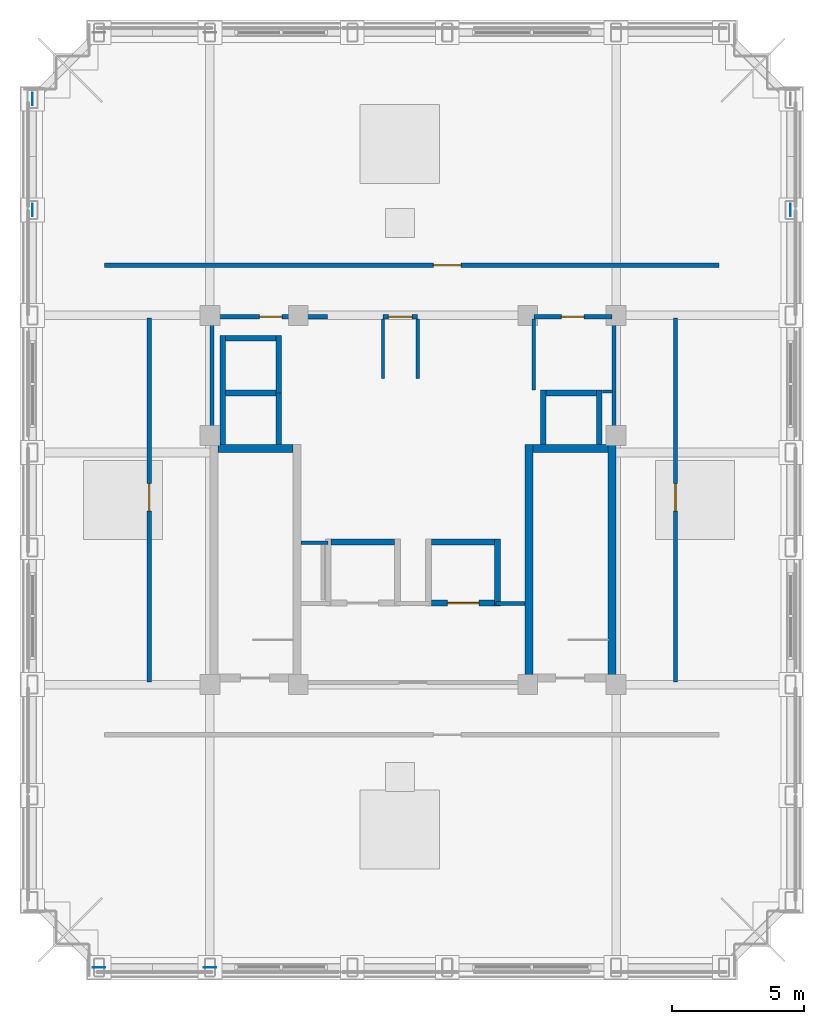
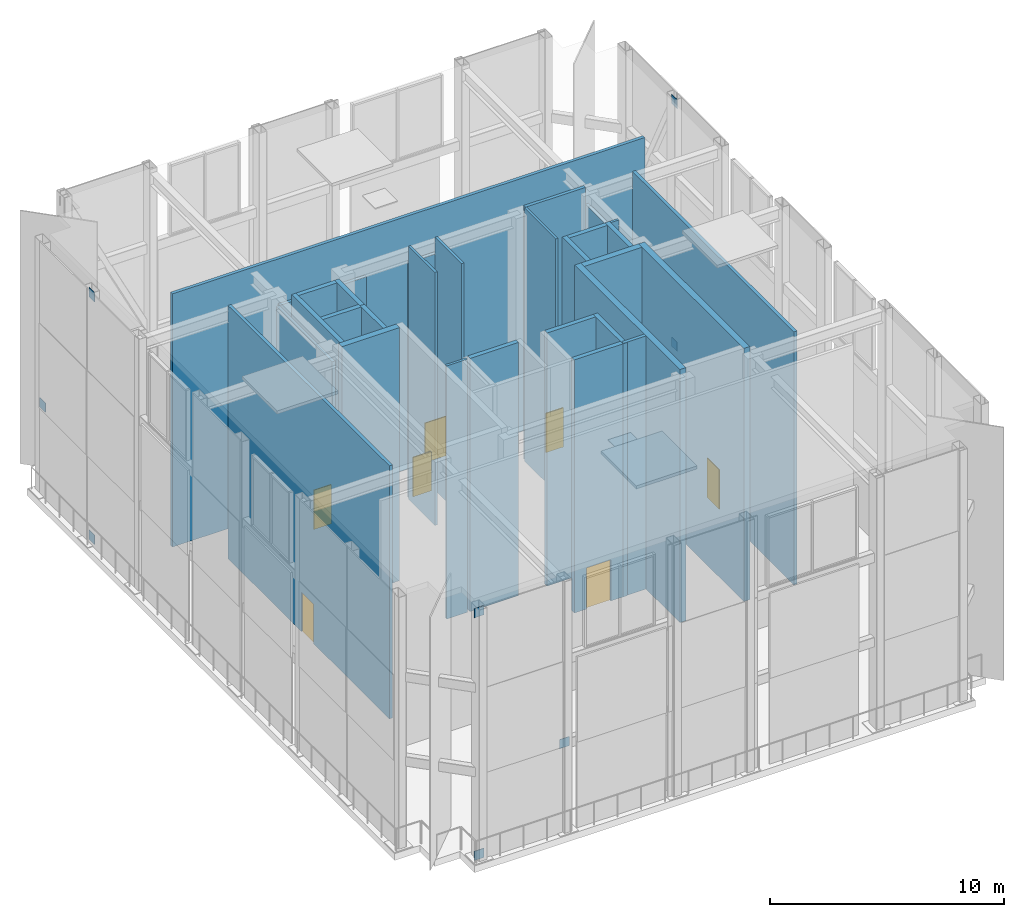
# One storey, part 5 of 7: 30 walls, 8 discrete accessories, 7 doors, 7 openings.
"""IFC4 building model written with IfcOpenShell, lengths in metres."""

from ifc_helpers import new_model, si_unit, derived_unit, direction, frame, frame_2d, origin, origin_2d, place, context, subcontext, project, spatial, rectangle, extrude, material, layer, layer_set, type_object, element, fill, save


model = new_model("IFC4")

# Units and contexts
model_context = context("Model", 3, precision=1e-05, world=origin(), true_north=direction((0.0, 1.0)))
body_context = subcontext(model_context, "Body", "Model", "MODEL_VIEW")
ifc_project = project(units=[si_unit("LENGTHUNIT", "METRE"), si_unit("AREAUNIT", "SQUARE_METRE"), si_unit("VOLUMEUNIT", "CUBIC_METRE"), si_unit("PLANEANGLEUNIT", "RADIAN"), si_unit("MASSUNIT", "GRAM", prefix="KILO"), derived_unit("THERMALTRANSMITTANCEUNIT", [(si_unit("MASSUNIT", "GRAM", prefix="KILO"), 1), (si_unit("TIMEUNIT", "SECOND"), -3), (si_unit("THERMODYNAMICTEMPERATUREUNIT", "KELVIN"), -1)])], contexts=[model_context])

# Site, building, storey
site_placement = place(None, origin())
site = spatial("IfcSite", under=ifc_project, at=site_placement, CompositionType="ELEMENT")
building_placement = place(site_placement, origin())
building = spatial("IfcBuilding", under=site, at=building_placement, Name="Korrvale Station Residences", CompositionType="ELEMENT")
storey_placement = place(building_placement, frame((0.0, 0.0, 261.5)))
storey = spatial("IfcBuildingStorey", under=building, at=storey_placement, Name="L76 Crown", CompositionType="ELEMENT", Elevation=261.5)

# Walls
ifc_material_1 = material(Name="Concrete C50/60", Category="concrete")
ifc_layer_1 = layer(ifc_material_1, 0.300048828125, Name="Concrete C50/60")
ifc_layer_set_1 = layer_set([ifc_layer_1], Name="Concrete C50/60")
wall_type_1 = type_object("IfcWallType", Name="WAL-CORE-300-C50", PredefinedType="SHEAR", material=ifc_layer_set_1)
wall_1_placement = place(storey_placement, frame((18.10009765625, 23.949951171875, 0.0), z_axis=(0.0, 0.0, 1.0), x_axis=(1.0, 0.0, 0.0)))
element("IfcWall", 1, at=wall_1_placement, inside=storey, type_object=wall_type_1, Name="L76 Crown ST-1 Core Shear Wall North", PredefinedType="SHEAR", context=body_context, shape_type="SweptSolid", body=[
    extrude(rectangle(XDim=2.849853515625, YDim=0.300048828125, at=frame_2d((1.4248046875, 0.0))), origin(), (0.0, 0.0, 1.0), 13.199951171875),
])
for number, where, z_axis, x_axis, name in (
    (2, (29.89990234375, 15.10009765625, 0.0), (0.0, 0.0, 1.0), (0.0, 1.0, 0.0), "L76 Crown ST-2 Core Shear Wall West"),
    (3, (33.050048828125, 15.10009765625, 0.0), (0.0, 0.0, 1.0), (0.0, 1.0, 0.0), "L76 Crown ST-2 Core Shear Wall East"),
):
    element("IfcWall", number, at=place(storey_placement, frame(where, z_axis=z_axis, x_axis=x_axis)), inside=storey, type_object=wall_type_1, Name=name, PredefinedType="SHEAR", context=body_context, shape_type="SweptSolid", body=[
        extrude(rectangle(XDim=9.0, YDim=0.300048828125, at=frame_2d((4.5, 0.0))), origin(), (0.0, 0.0, 1.0), 13.199951171875),
    ])
wall_2_placement = place(storey_placement, frame((30.050048828125, 23.949951171875, 0.0), z_axis=(0.0, 0.0, 1.0), x_axis=(1.0, 0.0, 0.0)))
element("IfcWall", 4, at=wall_2_placement, inside=storey, type_object=wall_type_1, Name="L76 Crown ST-2 Core Shear Wall North", PredefinedType="SHEAR", context=body_context, shape_type="SweptSolid", body=[
    extrude(rectangle(XDim=2.849853515625, YDim=0.300048828125, at=frame_2d((1.4248046875, 0.0))), origin(), (0.0, 0.0, 1.0), 13.199951171875),
])
ifc_material_2 = material(Name="Acoustic steel-stud gypsum board partition", Category="steel")
ifc_layer_2 = layer(ifc_material_2, 0.1201171875, Name="Acoustic steel-stud gypsum board partition")
ifc_layer_set_2 = layer_set([ifc_layer_2], Name="Acoustic steel-stud gypsum board partition")
wall_type_2 = type_object("IfcWallType", Name="WAL-PART-125", PredefinedType="PARTITIONING", material=ifc_layer_set_2)
wall_3_placement = place(storey_placement, frame((22.280029296875, 20.3798828125, 0.0), z_axis=(0.0, 0.0, 1.0), x_axis=(-1.0, 0.0, 0.0)))
element("IfcWall", 5, at=wall_3_placement, inside=storey, type_object=wall_type_2, Name="L76 Crown Core Partition CW-RSWT-N", PredefinedType="PARTITIONING", context=body_context, shape_type="SweptSolid", body=[
    extrude(rectangle(XDim=1.02001953125, YDim=0.1201171875, at=frame_2d((0.510009765625, 0.0))), origin(), (0.0, 0.0, 1.0), 13.199951171875),
])
for number, where, z_axis, x_axis, name in (
    (6, (24.360107421875, 26.60009765625, 0.0), (0.0, 0.0, 1.0), (0.0, 1.0, 0.0), "L76 Crown Core Partition CW-PSG-W"),
    (7, (25.679931640625, 26.60009765625, 0.0), (0.0, 0.0, 1.0), (0.0, 1.0, 0.0), "L76 Crown Core Partition CW-PSG-E"),
):
    element("IfcWall", number, at=place(storey_placement, frame(where, z_axis=z_axis, x_axis=x_axis)), inside=storey, type_object=wall_type_2, Name=name, PredefinedType="PARTITIONING", context=body_context, shape_type="SweptSolid", body=[
        extrude(rectangle(XDim=2.27001953125, YDim=0.1201171875, at=frame_2d((1.135009765625, 0.0))), origin(), (0.0, 0.0, 1.0), 13.199951171875),
    ])
wall_4_placement = place(storey_placement, frame((30.080078125, 26.179931640625, 0.0), z_axis=(0.0, 0.0, 1.0), x_axis=(0.0, 1.0, 0.0)))
element("IfcWall", 8, at=wall_4_placement, inside=storey, type_object=wall_type_2, Name="L76 Crown Core Partition CW-CS-W", PredefinedType="PARTITIONING", context=body_context, shape_type="SweptSolid", body=[
    extrude(rectangle(XDim=2.68017578125, YDim=0.1201171875, at=frame_2d((1.340087890625, 0.0))), origin(), (0.0, 0.0, 1.0), 13.199951171875),
])
wall_5_placement = place(storey_placement, frame((32.679931640625, 26.1201171875, 0.0), z_axis=(0.0, 0.0, 1.0), x_axis=(1.0, 0.0, 0.0)))
element("IfcWall", 9, at=wall_5_placement, inside=storey, type_object=wall_type_2, Name="L76 Crown Core Partition CW-CS-S", PredefinedType="PARTITIONING", context=body_context, shape_type="SweptSolid", body=[
    extrude(rectangle(XDim=0.380126953125, YDim=0.1201171875, at=frame_2d((0.18994140625, 0.0))), origin(), (0.0, 0.0, 1.0), 13.199951171875),
])
ifc_material_3 = material(Name="Fire-rated twin-stud gypsum and mineral wool shaftwall assembly", Category="gypsum")
ifc_layer_3 = layer(ifc_material_3, 0.159912109375, Name="Fire-rated twin-stud gypsum and mineral wool shaftwall assembly")
ifc_layer_set_3 = layer_set([ifc_layer_3], Name="Fire-rated twin-stud gypsum and mineral wool shaftwall assembly")
wall_type_3 = type_object("IfcWallType", Name="WAL-PART-200", PredefinedType="PARTITIONING", material=ifc_layer_set_3)
wall_6_placement = place(storey_placement, frame((28.64990234375, 18.080078125, 0.0), z_axis=(0.0, 0.0, 1.0), x_axis=(1.0, 0.0, 0.0)))
element("IfcWall", 10, at=wall_6_placement, inside=storey, type_object=wall_type_3, Name="L76 Crown Core Partition CW-FFL-N3", PredefinedType="PARTITIONING", context=body_context, shape_type="SweptSolid", body=[
    extrude(rectangle(XDim=1.10009765625, YDim=0.159912109375, at=frame_2d((0.550048828125, 0.0))), origin(), (0.0, 0.0, 1.0), 13.199951171875),
])
for number, where, z_axis, x_axis, name in (
    (11, (17.8798828125, 24.1201171875, 0.0), (0.0, 0.0, 1.0), (0.0, 1.0, 0.0), "L76 Crown Core Partition CW-W-N"),
    (12, (33.1201171875, 24.1201171875, 0.0), (0.0, 0.0, 1.0), (0.0, 1.0, 0.0), "L76 Crown Core Partition CW-E-N"),
):
    element("IfcWall", number, at=place(storey_placement, frame(where, z_axis=z_axis, x_axis=x_axis)), inside=storey, type_object=wall_type_3, Name=name, PredefinedType="PARTITIONING", context=body_context, shape_type="SweptSolid", body=[
        extrude(rectangle(XDim=4.759765625, YDim=0.159912109375, at=frame_2d((2.3798828125, 0.0))), origin(), (0.0, 0.0, 1.0), 12.319091796875),
    ])

# Wall, opening, door
wall_7_placement = place(storey_placement, frame((24.360107421875, 28.949951171875, 0.0), z_axis=(0.0, 0.0, 1.0), x_axis=(1.0, 0.0, 0.0)))
wall_7 = element("IfcWall", 13, at=wall_7_placement, inside=storey, type_object=wall_type_3, Name="L76 Crown Core Partition CW-LLOB-N", PredefinedType="PARTITIONING", context=body_context, shape_type="SweptSolid", body=[
    extrude(rectangle(XDim=1.31982421875, YDim=0.159912109375, at=frame_2d((0.659912109375, 0.0))), origin(), (0.0, 0.0, 1.0), 12.319091796875),
])
opening_1_placement = place(wall_7_placement, frame((0.2099609375, 0.0, 0.0)))
opening_1 = element("IfcOpeningElement", 14, at=opening_1_placement, cuts=wall_7, Name="Opening DI-900", PredefinedType="OPENING", context=body_context, shape_type="SweptSolid", body=[
    extrude(rectangle(XDim=0.89990234375, YDim=2.050048828125, at=frame_2d((0.449951171875, 1.02490234375))), frame((0.0, 0.08984375, 0.0), z_axis=(0.0, -1.0, 0.0), x_axis=(1.0, 0.0, 0.0)), (0.0, 0.0, 1.0), 0.179931640625),
])
ifc_material_4 = material(Name="Painted solid-core timber interior room door", Category="wood")
door_type_1 = type_object("IfcDoorType", Name="DR-INT-900", OperationType="NOTDEFINED", PredefinedType="DOOR", material=ifc_material_4)
door_1_placement = place(opening_1_placement, origin())
door_1 = element("IfcDoor", 15, at=door_1_placement, inside=storey, type_object=door_type_1, Name="L76 Crown Central Hallway North Passage Door", OperationType="SINGLE_SWING_RIGHT", OverallHeight=2.050048828125, OverallWidth=0.89990234375, PredefinedType="DOOR", context=body_context, shape_type="SweptSolid", body=[
    extrude(rectangle(XDim=0.89990234375, YDim=2.050048828125, at=frame_2d((0.449951171875, 1.02490234375))), frame((0.0, 0.02490234375, 0.0), z_axis=(0.0, -1.0, 0.0), x_axis=(1.0, 0.0, 0.0)), (0.0, 0.0, 1.0), 0.050048828125),
])
fill(opening_1, door_1)

wall_8_placement = place(storey_placement, frame((17.9599609375, 28.949951171875, 0.0), z_axis=(0.0, 0.0, 1.0), x_axis=(1.0, 0.0, 0.0)))
wall_8 = element("IfcWall", 16, at=wall_8_placement, inside=storey, type_object=wall_type_3, Name="L76 Crown Core Partition CW-NW", PredefinedType="PARTITIONING", context=body_context, shape_type="SweptSolid", body=[
    extrude(rectangle(XDim=4.2900390625, YDim=0.159912109375, at=frame_2d((2.14501953125, 0.0))), origin(), (0.0, 0.0, 1.0), 12.319091796875),
])
opening_2_placement = place(wall_8_placement, frame((1.715087890625, 0.0, 0.0)))
opening_2 = element("IfcOpeningElement", 17, at=opening_2_placement, cuts=wall_8, Name="Opening DB-860", PredefinedType="OPENING", context=body_context, shape_type="SweptSolid", body=[
    extrude(rectangle(XDim=0.860107421875, YDim=2.050048828125, at=frame_2d((0.43017578125, 1.02490234375))), frame((0.0, 0.08984375, 0.0), z_axis=(0.0, -1.0, 0.0), x_axis=(1.0, 0.0, 0.0)), (0.0, 0.0, 1.0), 0.179931640625),
])
ifc_material_5 = material(Name="Moisture-resistant solid-core bathroom door", Category="timber")
door_type_2 = type_object("IfcDoorType", Name="DR-BATH-860", OperationType="NOTDEFINED", PredefinedType="DOOR", material=ifc_material_5)
door_2_placement = place(opening_2_placement, origin())
door_2 = element("IfcDoor", 18, at=door_2_placement, inside=storey, type_object=door_type_2, Name="L76 Crown Electrical Riser Access Door", OperationType="SINGLE_SWING_LEFT", OverallHeight=2.050048828125, OverallWidth=0.860107421875, PredefinedType="DOOR", context=body_context, shape_type="SweptSolid", body=[
    extrude(rectangle(XDim=0.860107421875, YDim=2.050048828125, at=frame_2d((0.43017578125, 1.02490234375))), frame((0.0, 0.02490234375, 0.0), z_axis=(0.0, -1.0, 0.0), x_axis=(1.0, 0.0, 0.0)), (0.0, 0.0, 1.0), 0.050048828125),
])
fill(opening_2, door_2)

wall_9_placement = place(storey_placement, frame((30.080078125, 28.949951171875, 0.0), z_axis=(0.0, 0.0, 1.0), x_axis=(1.0, 0.0, 0.0)))
wall_9 = element("IfcWall", 19, at=wall_9_placement, inside=storey, type_object=wall_type_3, Name="L76 Crown Core Partition CW-CS-N", PredefinedType="PARTITIONING", context=body_context, shape_type="SweptSolid", body=[
    extrude(rectangle(XDim=2.9599609375, YDim=0.159912109375, at=frame_2d((1.47998046875, 0.0))), origin(), (0.0, 0.0, 1.0), 13.199951171875),
])
opening_3_placement = place(wall_9_placement, frame((1.044921875, 0.0, 0.0)))
opening_3 = element("IfcOpeningElement", 20, at=opening_3_placement, cuts=wall_9, Name="Opening DB-860", PredefinedType="OPENING", context=body_context, shape_type="SweptSolid", body=[
    extrude(rectangle(XDim=0.860107421875, YDim=2.050048828125, at=frame_2d((0.43017578125, 1.02490234375))), frame((0.0, 0.08984375, 0.0), z_axis=(0.0, -1.0, 0.0), x_axis=(1.0, 0.0, 0.0)), (0.0, 0.0, 1.0), 0.179931640625),
])
door_3_placement = place(opening_3_placement, origin())
door_3 = element("IfcDoor", 21, at=door_3_placement, inside=storey, type_object=door_type_2, Name="L76 Crown Core Equipment Room Door", OperationType="SINGLE_SWING_RIGHT", OverallHeight=2.050048828125, OverallWidth=0.860107421875, PredefinedType="DOOR", context=body_context, shape_type="SweptSolid", body=[
    extrude(rectangle(XDim=0.860107421875, YDim=2.050048828125, at=frame_2d((0.43017578125, 1.02490234375))), frame((0.0, 0.02490234375, 0.0), z_axis=(0.0, -1.0, 0.0), x_axis=(1.0, 0.0, 0.0)), (0.0, 0.0, 1.0), 0.050048828125),
])
fill(opening_3, door_3)

wall_10_placement = place(storey_placement, frame((13.800048828125, 30.89990234375, 0.0), z_axis=(0.0, 0.0, 1.0), x_axis=(1.0, 0.0, 0.0)))
wall_10 = element("IfcWall", 22, at=wall_10_placement, inside=storey, type_object=wall_type_3, Name="L76 Crown Interior Partition W-CN", PredefinedType="PARTITIONING", context=body_context, shape_type="SweptSolid", body=[
    extrude(rectangle(XDim=23.300048828125, YDim=0.159912109375, at=frame_2d((11.64990234375, 0.0))), origin(), (0.0, 0.0, 1.0), 13.199951171875),
])
opening_4_placement = place(wall_10_placement, frame((12.47509765625, 0.0, 0.0)))
opening_4 = element("IfcOpeningElement", 23, at=opening_4_placement, cuts=wall_10, Name="Opening FD-1050", PredefinedType="OPENING", context=body_context, shape_type="SweptSolid", body=[
    extrude(rectangle(XDim=1.050048828125, YDim=2.050048828125, at=frame_2d((0.52490234375, 1.02490234375))), frame((0.0, 0.08984375, 0.0), z_axis=(0.0, -1.0, 0.0), x_axis=(1.0, 0.0, 0.0)), (0.0, 0.0, 1.0), 0.179931640625),
])
ifc_material_6 = material(Name="Fire-rated mineral-core timber lobby door", Category="wood")
door_type_3 = type_object("IfcDoorType", Name="DR-CORE-1050", OperationType="NOTDEFINED", PredefinedType="DOOR", material=ifc_material_6)
door_4_placement = place(opening_4_placement, origin())
door_4 = element("IfcDoor", 24, at=door_4_placement, inside=storey, type_object=door_type_3, Name="L76 Crown Chiller Plant Door", OperationType="SINGLE_SWING_RIGHT", OverallHeight=2.050048828125, OverallWidth=1.050048828125, PredefinedType="DOOR", context=body_context, shape_type="SweptSolid", body=[
    extrude(rectangle(XDim=1.050048828125, YDim=2.050048828125, at=frame_2d((0.52490234375, 1.02490234375))), frame((0.0, 0.02490234375, 0.0), z_axis=(0.0, -1.0, 0.0), x_axis=(1.0, 0.0, 0.0)), (0.0, 0.0, 1.0), 0.050048828125),
])
fill(opening_4, door_4)

wall_11_placement = place(storey_placement, frame((15.5, 15.10009765625, 0.0), z_axis=(0.0, 0.0, 1.0), x_axis=(0.0, 1.0, 0.0)))
wall_11 = element("IfcWall", 25, at=wall_11_placement, inside=storey, type_object=wall_type_3, Name="L76 Crown Interior Partition W-CW", PredefinedType="PARTITIONING", context=body_context, shape_type="SweptSolid", body=[
    extrude(rectangle(XDim=13.7998046875, YDim=0.159912109375, at=frame_2d((6.89990234375, 0.0))), origin(), (0.0, 0.0, 1.0), 13.199951171875),
])
opening_5_placement = place(wall_11_placement, frame((6.47509765625, 0.0, 0.0)))
opening_5 = element("IfcOpeningElement", 26, at=opening_5_placement, cuts=wall_11, Name="Opening FD-1050", PredefinedType="OPENING", context=body_context, shape_type="SweptSolid", body=[
    extrude(rectangle(XDim=1.050048828125, YDim=2.050048828125, at=frame_2d((0.52490234375, 1.02490234375))), frame((0.0, 0.08984375, 0.0), z_axis=(0.0, -1.0, 0.0), x_axis=(1.0, 0.0, 0.0)), (0.0, 0.0, 1.0), 0.179931640625),
])
door_5_placement = place(opening_5_placement, origin())
door_5 = element("IfcDoor", 27, at=door_5_placement, inside=storey, type_object=door_type_3, Name="L76 Crown Cooling Tower Plenum Door", OperationType="SINGLE_SWING_LEFT", OverallHeight=2.050048828125, OverallWidth=1.050048828125, PredefinedType="DOOR", context=body_context, shape_type="SweptSolid", body=[
    extrude(rectangle(XDim=1.050048828125, YDim=2.050048828125, at=frame_2d((0.52490234375, 1.02490234375))), frame((0.0, 0.02490234375, 0.0), z_axis=(0.0, -1.0, 0.0), x_axis=(1.0, 0.0, 0.0)), (0.0, 0.0, 1.0), 0.050048828125),
])
fill(opening_5, door_5)

wall_12_placement = place(storey_placement, frame((35.449951171875, 15.10009765625, 0.0), z_axis=(0.0, 0.0, 1.0), x_axis=(0.0, 1.0, 0.0)))
wall_12 = element("IfcWall", 28, at=wall_12_placement, inside=storey, type_object=wall_type_3, Name="L76 Crown Interior Partition W-CE", PredefinedType="PARTITIONING", context=body_context, shape_type="SweptSolid", body=[
    extrude(rectangle(XDim=13.7998046875, YDim=0.159912109375, at=frame_2d((6.89990234375, 0.0))), origin(), (0.0, 0.0, 1.0), 13.199951171875),
])
opening_6_placement = place(wall_12_placement, frame((6.47509765625, 0.0, 0.0)))
opening_6 = element("IfcOpeningElement", 29, at=opening_6_placement, cuts=wall_12, Name="Opening FD-1050", PredefinedType="OPENING", context=body_context, shape_type="SweptSolid", body=[
    extrude(rectangle(XDim=1.050048828125, YDim=2.050048828125, at=frame_2d((0.52490234375, 1.02490234375))), frame((0.0, 0.08984375, 0.0), z_axis=(0.0, -1.0, 0.0), x_axis=(1.0, 0.0, 0.0)), (0.0, 0.0, 1.0), 0.179931640625),
])
door_6_placement = place(opening_6_placement, origin())
door_6 = element("IfcDoor", 30, at=door_6_placement, inside=storey, type_object=door_type_3, Name="L76 Crown BMU and Switchgear Door", OperationType="SINGLE_SWING_RIGHT", OverallHeight=2.050048828125, OverallWidth=1.050048828125, PredefinedType="DOOR", context=body_context, shape_type="SweptSolid", body=[
    extrude(rectangle(XDim=1.050048828125, YDim=2.050048828125, at=frame_2d((0.52490234375, 1.02490234375))), frame((0.0, 0.02490234375, 0.0), z_axis=(0.0, -1.0, 0.0), x_axis=(1.0, 0.0, 0.0)), (0.0, 0.0, 1.0), 0.050048828125),
])
fill(opening_6, door_6)

# Walls
ifc_layer_4 = layer(ifc_material_1, 0.219970703125, Name="Concrete C50/60")
ifc_layer_set_4 = layer_set([ifc_layer_4], Name="Concrete C50/60")
wall_type_4 = type_object("IfcWallType", Name="WAL-SHAFT-220-C50", PredefinedType="SHEAR", material=ifc_layer_set_4)
wall_13_placement = place(storey_placement, frame((18.2900390625, 24.10009765625, 0.0), z_axis=(0.0, 0.0, 1.0), x_axis=(0.0, 1.0, 0.0)))
element("IfcWall", 31, at=wall_13_placement, inside=storey, type_object=wall_type_4, Name="L76 Crown Elevator PH-1 Hoistway Wall West", PredefinedType="SHEAR", context=body_context, shape_type="SweptSolid", body=[
    extrude(rectangle(XDim=4.139892578125, YDim=0.219970703125, at=frame_2d((2.06982421875, 0.0))), origin(), (0.0, 0.0, 1.0), 13.199951171875),
])
wall_14_placement = place(storey_placement, frame((20.409912109375, 24.10009765625, 0.0), z_axis=(0.0, 0.0, 1.0), x_axis=(0.0, 1.0, 0.0)))
element("IfcWall", 32, at=wall_14_placement, inside=storey, type_object=wall_type_4, Name="L76 Crown Elevator PH-1 Hoistway Wall East", PredefinedType="SHEAR", context=body_context, shape_type="SweptSolid", body=[
    extrude(rectangle(XDim=1.9599609375, YDim=0.219970703125, at=frame_2d((0.97998046875, 0.0))), origin(), (0.0, 0.0, 1.0), 13.199951171875),
])
for number, where, z_axis, x_axis, name in (
    (33, (18.39990234375, 26.06005859375, 0.0), (0.0, 0.0, 1.0), (1.0, 0.0, 0.0), "L76 Crown Elevator PH-2 Hoistway Wall South"),
    (34, (18.39990234375, 28.1298828125, 0.0), (0.0, 0.0, 1.0), (1.0, 0.0, 0.0), "L76 Crown Elevator PH-2 Hoistway Wall North"),
):
    element("IfcWall", number, at=place(storey_placement, frame(where, z_axis=z_axis, x_axis=x_axis)), inside=storey, type_object=wall_type_4, Name=name, PredefinedType="SHEAR", context=body_context, shape_type="SweptSolid", body=[
        extrude(rectangle(XDim=1.900146484375, YDim=0.219970703125, at=frame_2d((0.9501953125, 0.0))), origin(), (0.0, 0.0, 1.0), 13.199951171875),
    ])
wall_15_placement = place(storey_placement, frame((20.409912109375, 26.06005859375, 0.0), z_axis=(0.0, 0.0, 1.0), x_axis=(0.0, 1.0, 0.0)))
element("IfcWall", 35, at=wall_15_placement, inside=storey, type_object=wall_type_4, Name="L76 Crown Elevator PH-2 Hoistway Wall East", PredefinedType="SHEAR", context=body_context, shape_type="SweptSolid", body=[
    extrude(rectangle(XDim=2.179931640625, YDim=0.219970703125, at=frame_2d((1.08984375, 0.0))), origin(), (0.0, 0.0, 1.0), 13.199951171875),
])
wall_16_placement = place(storey_placement, frame((30.550048828125, 26.06005859375, 0.0), z_axis=(0.0, 0.0, 1.0), x_axis=(1.0, 0.0, 0.0)))
element("IfcWall", 36, at=wall_16_placement, inside=storey, type_object=wall_type_4, Name="L76 Crown Elevator PH-3 Hoistway Wall North", PredefinedType="SHEAR", context=body_context, shape_type="SweptSolid", body=[
    extrude(rectangle(XDim=1.89990234375, YDim=0.219970703125, at=frame_2d((0.949951171875, 0.0))), origin(), (0.0, 0.0, 1.0), 13.199951171875),
])
for number, where, z_axis, x_axis, name in (
    (37, (30.43994140625, 24.10009765625, 0.0), (0.0, 0.0, 1.0), (0.0, 1.0, 0.0), "L76 Crown Elevator PH-3 Hoistway Wall West"),
    (38, (32.56005859375, 24.10009765625, 0.0), (0.0, 0.0, 1.0), (0.0, 1.0, 0.0), "L76 Crown Elevator PH-3 Hoistway Wall East"),
):
    element("IfcWall", number, at=place(storey_placement, frame(where, z_axis=z_axis, x_axis=x_axis)), inside=storey, type_object=wall_type_4, Name=name, PredefinedType="SHEAR", context=body_context, shape_type="SweptSolid", body=[
        extrude(rectangle(XDim=2.06982421875, YDim=0.219970703125, at=frame_2d((1.034912109375, 0.0))), origin(), (0.0, 0.0, 1.0), 13.199951171875),
    ])
wall_17_placement = place(storey_placement, frame((22.39990234375, 20.409912109375, 0.0), z_axis=(0.0, 0.0, 1.0), x_axis=(1.0, 0.0, 0.0)))
element("IfcWall", 39, at=wall_17_placement, inside=storey, type_object=wall_type_4, Name="L76 Crown Elevator FFL-1 Hoistway Wall North", PredefinedType="SHEAR", context=body_context, shape_type="SweptSolid", body=[
    extrude(rectangle(XDim=2.400146484375, YDim=0.219970703125, at=frame_2d((1.2001953125, 0.0))), origin(), (0.0, 0.0, 1.0), 13.199951171875),
])

# Wall, opening, door
wall_18_placement = place(storey_placement, frame((26.199951171875, 18.090087890625, 0.0), z_axis=(0.0, 0.0, 1.0), x_axis=(1.0, 0.0, 0.0)))
wall_18 = element("IfcWall", 40, at=wall_18_placement, inside=storey, type_object=wall_type_4, Name="L76 Crown Elevator FFL-2 Hoistway Wall South", PredefinedType="SHEAR", context=body_context, shape_type="SweptSolid", body=[
    extrude(rectangle(XDim=2.400146484375, YDim=0.219970703125, at=frame_2d((1.2001953125, 0.0))), origin(), (0.0, 0.0, 1.0), 13.199951171875),
])
opening_7_placement = place(wall_18_placement, frame((0.60009765625, 0.0, 0.0)))
opening_7 = element("IfcOpeningElement", 41, at=opening_7_placement, cuts=wall_18, Name="Opening LD-FF1200", PredefinedType="OPENING", context=body_context, shape_type="SweptSolid", body=[
    extrude(rectangle(XDim=1.199951171875, YDim=2.14990234375, at=frame_2d((0.60009765625, 1.074951171875))), frame((0.0, 0.1201171875, 0.0), z_axis=(0.0, -1.0, 0.0), x_axis=(1.0, 0.0, 0.0)), (0.0, 0.0, 1.0), 0.239990234375),
])
ifc_material_7 = material(Name="Stainless-steel firefighter elevator landing sliding door", Category="steel")
door_type_4 = type_object("IfcDoorType", Name="DR-LIFT-FF1200", OperationType="SLIDING_TO_LEFT", PredefinedType="DOOR", material=ifc_material_7)
door_7_placement = place(opening_7_placement, origin())
door_7 = element("IfcDoor", 42, at=door_7_placement, inside=storey, type_object=door_type_4, Name="L76 Crown Elevator FFL-2 Sliding Landing Door", OperationType="SLIDING_TO_LEFT", OverallHeight=2.14990234375, OverallWidth=1.199951171875, PredefinedType="DOOR", context=body_context, shape_type="SweptSolid", body=[
    extrude(rectangle(XDim=1.199951171875, YDim=2.14990234375, at=frame_2d((0.60009765625, 1.074951171875))), frame((0.0, 0.02490234375, 0.0), z_axis=(0.0, -1.0, 0.0), x_axis=(1.0, 0.0, 0.0)), (0.0, 0.0, 1.0), 0.050048828125),
])
fill(opening_7, door_7)

# Walls
wall_19_placement = place(storey_placement, frame((26.199951171875, 20.409912109375, 0.0), z_axis=(0.0, 0.0, 1.0), x_axis=(1.0, 0.0, 0.0)))
element("IfcWall", 43, at=wall_19_placement, inside=storey, type_object=wall_type_4, Name="L76 Crown Elevator FFL-2 Hoistway Wall North", PredefinedType="SHEAR", context=body_context, shape_type="SweptSolid", body=[
    extrude(rectangle(XDim=2.400146484375, YDim=0.219970703125, at=frame_2d((1.2001953125, 0.0))), origin(), (0.0, 0.0, 1.0), 13.199951171875),
])
wall_20_placement = place(storey_placement, frame((28.7099609375, 17.97998046875, 0.0), z_axis=(0.0, 0.0, 1.0), x_axis=(0.0, 1.0, 0.0)))
element("IfcWall", 44, at=wall_20_placement, inside=storey, type_object=wall_type_4, Name="L76 Crown Elevator FFL-2 Hoistway Wall East", PredefinedType="SHEAR", context=body_context, shape_type="SweptSolid", body=[
    extrude(rectangle(XDim=2.5400390625, YDim=0.219970703125, at=frame_2d((1.27001953125, 0.0))), origin(), (0.0, 0.0, 1.0), 13.199951171875),
])

# Discrete accessories
ifc_material_8 = material(Name="Steel S355", Category="steel")
ifc_layer_5 = layer(ifc_material_8, 0.02490234375, Name="Steel S355")
ifc_layer_set_5 = layer_set([ifc_layer_5], Name="Steel S355")
discrete_accessory_type = type_object("IfcDiscreteAccessoryType", Name="ACC-GUSSET-25", PredefinedType="BRACKET", material=ifc_layer_set_5)
for number, where, z_axis, x_axis, name in (
    (45, (13.60009765625, 4.280029296875, -0.090087890625), (0.0, 0.0, 1.0), (1.0, 0.0, 0.0), "Ring Crown Brace Gusset Connection 01B"),
    (46, (17.800048828125, 4.280029296875, 4.260009765625), (0.0, 0.0, 1.0), (1.0, 0.0, 0.0), "Ring Crown Brace Gusset Connection 01M"),
    (47, (13.60009765625, 4.280029296875, 12.56005859375), (0.0, 0.0, 1.0), (1.0, 0.0, 0.0), "Ring Crown Brace Gusset Connection 01T"),
    (48, (11.080078125, 33.0, -0.090087890625), (0.0, 0.0, 1.0), (0.0, 1.0, 0.0), "Ring Crown Brace Gusset Connection 03B"),
    (49, (11.080078125, 37.199951171875, 4.260009765625), (0.0, 0.0, 1.0), (0.0, 1.0, 0.0), "Ring Crown Brace Gusset Connection 03M"),
    (50, (11.080078125, 33.0, 12.56005859375), (0.0, 0.0, 1.0), (0.0, 1.0, 0.0), "Ring Crown Brace Gusset Connection 03T"),
    (51, (39.820068359375, 33.0, -0.090087890625), (0.0, 0.0, 1.0), (0.0, 1.0, 0.0), "Ring Crown Brace Gusset Connection 04B"),
    (52, (39.820068359375, 33.0, 12.56005859375), (0.0, 0.0, 1.0), (0.0, 1.0, 0.0), "Ring Crown Brace Gusset Connection 04T"),
):
    element("IfcDiscreteAccessory", number, at=place(storey_placement, frame(where, z_axis=z_axis, x_axis=x_axis)), inside=storey, type_object=discrete_accessory_type, Name=name, PredefinedType="BRACKET", context=body_context, shape_type="SweptSolid", body=[
        extrude(rectangle(XDim=0.47998046875, YDim=0.02490234375, at=origin_2d()), origin(), (0.0, 0.0, 1.0), 0.47998046875),
    ])

save(model, "model.ifc")
